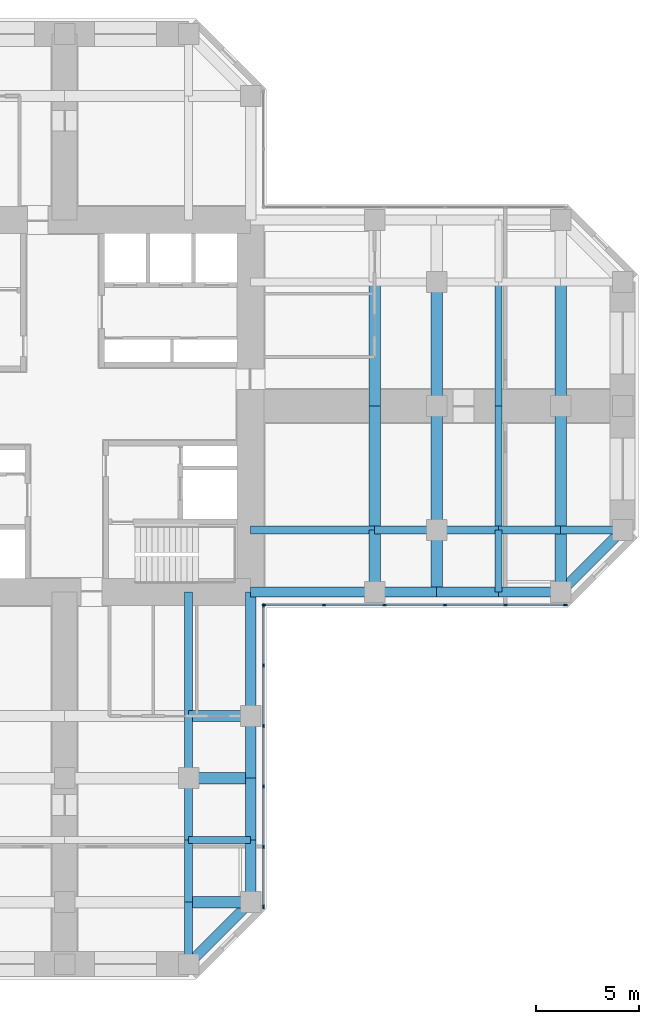
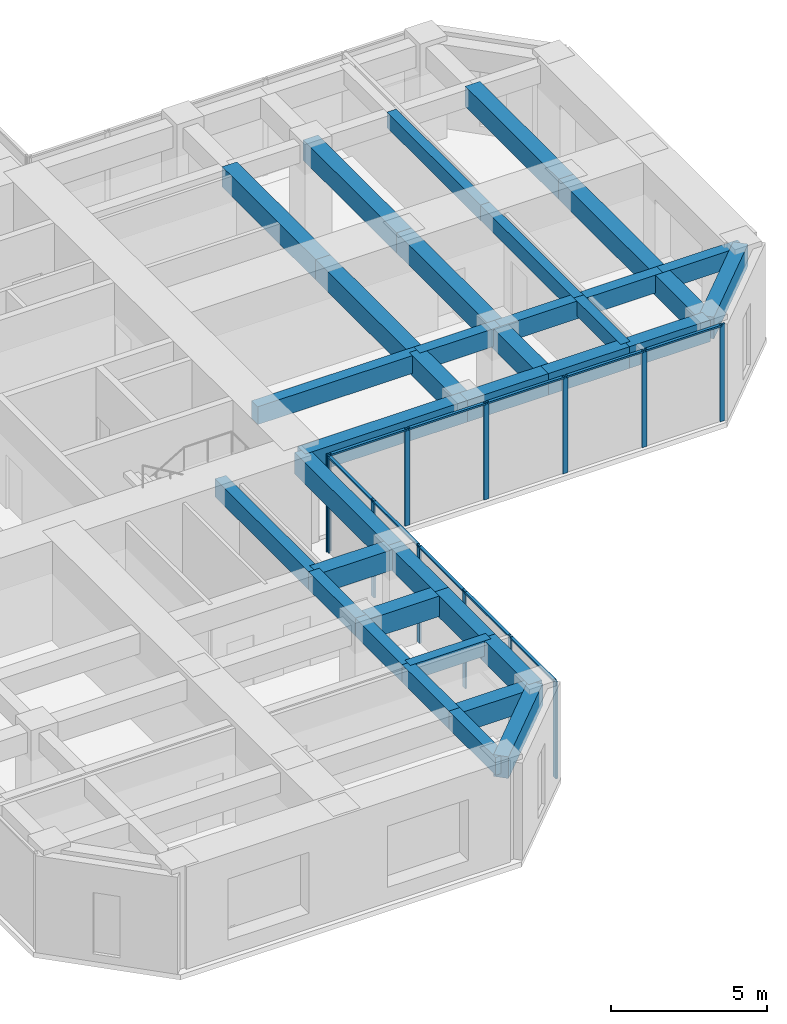
# One storey, part 4 of 12: 36 beams, 22 members, 2 elements without a shape of their own.
"""IFC4 building model written with IfcOpenShell, lengths in metres."""

from ifc_helpers import new_model, si_unit, direction, frame, origin, origin_2d, place, context, subcontext, project, spatial, rectangle, extrude, material, material_profile, profile_set, type_object, element, aggregate, save


model = new_model("IFC4")

# Units and contexts
model_context = context("Model", 3, precision=1e-05, world=origin(), true_north=direction((0.0, 1.0)))
body_context = subcontext(model_context, "Body", "Model", "MODEL_VIEW")
ifc_project = project(units=[si_unit("LENGTHUNIT", "METRE"), si_unit("AREAUNIT", "SQUARE_METRE"), si_unit("VOLUMEUNIT", "CUBIC_METRE"), si_unit("PLANEANGLEUNIT", "RADIAN"), si_unit("MASSUNIT", "GRAM", prefix="KILO")], contexts=[model_context])

# Site, building, storey
site_placement = place(None, origin())
site = spatial("IfcSite", under=ifc_project, at=site_placement, CompositionType="ELEMENT")
building_placement = place(site_placement, origin())
building = spatial("IfcBuilding", under=site, at=building_placement, Name="Torre Cruceta", CompositionType="ELEMENT")
storey_placement = place(building_placement, frame((0.0, 0.0, 144.5)))
storey = spatial("IfcBuildingStorey", under=building, at=storey_placement, Name="L35", CompositionType="ELEMENT", Elevation=144.5)

# Beams
ifc_material_1 = material(Name="Concrete G60 (fck 60 MPa)", Category="concrete")
ifc_material_profile_1 = material_profile(ifc_material_1, rectangle(XDim=0.39990234375, YDim=0.699951171875, at=origin_2d()), Name="RC 400X700")
ifc_profile_set_1 = profile_set([ifc_material_profile_1], Name="Concrete G60 (fck 60 MPa)")
beam_type_1 = type_object("IfcBeamType", Name="COLUMN LINE BEAM RC 400X700", PredefinedType="BEAM", material=ifc_profile_set_1)
beam_1_placement = place(storey_placement, frame((9.0, -6.0, 3.449951171875), z_axis=(1.0, 0.0, 0.0), x_axis=(0.0, 1.0, 0.0)))
element("IfcBeam", 1, at=beam_1_placement, inside=storey, type_object=beam_type_1, Name="LB5 L35 E col- 1", PredefinedType="BEAM", context=body_context, shape_type="SweptSolid", body=[
    extrude(rectangle(XDim=0.39990234375, YDim=0.699951171875, at=origin_2d()), origin(), (0.0, 0.0, 1.0), 6.0),
])
for number, where, z_axis, x_axis, name in (
    (2, (15.0, -6.0, 3.449951171875), (1.0, 0.0, 0.0), (0.0, 1.0, 0.0), "LB5 L35 E col- 2"),
    (3, (18.0, -6.0, 3.449951171875), (1.0, 0.0, 0.0), (0.0, 1.0, 0.0), "LB5 L35 E col- 3"),
    (4, (21.0, -6.0, 3.449951171875), (1.0, 0.0, 0.0), (0.0, 1.0, 0.0), "LB5 L35 E col- 4"),
    (5, (24.0, -6.0, 3.449951171875), (1.0, 0.0, 0.0), (0.0, 1.0, 0.0), "LB5 L35 E col- 5"),
):
    element("IfcBeam", number, at=place(storey_placement, frame(where, z_axis=z_axis, x_axis=x_axis)), inside=storey, type_object=beam_type_1, Name=name, PredefinedType="BEAM", context=body_context, shape_type="SweptSolid", body=[
        extrude(rectangle(XDim=0.39990234375, YDim=0.699951171875, at=origin_2d()), origin(), (0.0, 0.0, 1.0), 3.0),
    ])
beam_2_placement = place(storey_placement, frame((6.0, -9.0, 3.449951171875), z_axis=(0.0, -1.0, 0.0), x_axis=(1.0, 0.0, 0.0)))
element("IfcBeam", 6, at=beam_2_placement, inside=storey, type_object=beam_type_1, Name="LB5 L35 S col+ 1", PredefinedType="BEAM", context=body_context, shape_type="SweptSolid", body=[
    extrude(rectangle(XDim=0.39990234375, YDim=0.699951171875, at=origin_2d()), origin(), (0.0, 0.0, 1.0), 6.0),
])
for number, where, z_axis, x_axis, name in (
    (7, (6.0, -15.0, 3.449951171875), (0.0, -1.0, 0.0), (1.0, 0.0, 0.0), "LB5 L35 S col+ 2"),
    (8, (6.0, -18.0, 3.449951171875), (0.0, -1.0, 0.0), (1.0, 0.0, 0.0), "LB5 L35 S col+ 3"),
    (9, (6.0, -21.0, 3.449951171875), (0.0, -1.0, 0.0), (1.0, 0.0, 0.0), "LB5 L35 S col+ 4"),
    (10, (6.0, -24.0, 3.449951171875), (0.0, -1.0, 0.0), (1.0, 0.0, 0.0), "LB5 L35 S col+ 5"),
):
    element("IfcBeam", number, at=place(storey_placement, frame(where, z_axis=z_axis, x_axis=x_axis)), inside=storey, type_object=beam_type_1, Name=name, PredefinedType="BEAM", context=body_context, shape_type="SweptSolid", body=[
        extrude(rectangle(XDim=0.39990234375, YDim=0.699951171875, at=origin_2d()), origin(), (0.0, 0.0, 1.0), 3.0),
    ])
ifc_material_2 = material(Name="Concrete G60 (fck 60 MPa)", Category="concrete")
ifc_material_profile_2 = material_profile(ifc_material_2, rectangle(XDim=0.550048828125, YDim=0.800048828125, at=origin_2d()), Name="RC 550X800")
ifc_profile_set_2 = profile_set([ifc_material_profile_2], Name="Concrete G60 (fck 60 MPa)")
beam_type_2 = type_object("IfcBeamType", Name="CROSS BEAM RC 550X800", PredefinedType="BEAM", material=ifc_profile_set_2)
beam_3_placement = place(storey_placement, frame((15.0, -9.0, 3.39990234375), z_axis=(0.0, 1.0, 0.0), x_axis=(-1.0, 0.0, 0.0)))
element("IfcBeam", 11, at=beam_3_placement, inside=storey, type_object=beam_type_2, Name="GB5 L35 E cross15 1", PredefinedType="BEAM", context=body_context, shape_type="SweptSolid", body=[
    extrude(rectangle(XDim=0.550048828125, YDim=0.800048828125, at=origin_2d()), origin(), (0.0, 0.0, 1.0), 3.0),
])
for number, where, z_axis, x_axis, name in (
    (12, (15.0, -6.0, 3.39990234375), (0.0, 1.0, 0.0), (-1.0, 0.0, 0.0), "GB5 L35 E cross15 2"),
    (13, (15.0, 0.0, 3.39990234375), (0.0, 1.0, 0.0), (-1.0, 0.0, 0.0), "GB5 L35 E cross15 3"),
):
    element("IfcBeam", number, at=place(storey_placement, frame(where, z_axis=z_axis, x_axis=x_axis)), inside=storey, type_object=beam_type_2, Name=name, PredefinedType="BEAM", context=body_context, shape_type="SweptSolid", body=[
        extrude(rectangle(XDim=0.550048828125, YDim=0.800048828125, at=origin_2d()), origin(), (0.0, 0.0, 1.0), 6.0),
    ])
beam_4_placement = place(storey_placement, frame((18.0, -9.0, 3.39990234375), z_axis=(0.0, 1.0, 0.0), x_axis=(-1.0, 0.0, 0.0)))
element("IfcBeam", 14, at=beam_4_placement, inside=storey, type_object=beam_type_2, Name="GB5 L35 E cross18 1", PredefinedType="BEAM", context=body_context, shape_type="SweptSolid", body=[
    extrude(rectangle(XDim=0.550048828125, YDim=0.800048828125, at=origin_2d()), origin(), (0.0, 0.0, 1.0), 3.0),
])
for number, where, z_axis, x_axis, name in (
    (15, (18.0, -6.0, 3.39990234375), (0.0, 1.0, 0.0), (-1.0, 0.0, 0.0), "GB5 L35 E cross18 2"),
    (16, (18.0, 0.0, 3.39990234375), (0.0, 1.0, 0.0), (-1.0, 0.0, 0.0), "GB5 L35 E cross18 3"),
):
    element("IfcBeam", number, at=place(storey_placement, frame(where, z_axis=z_axis, x_axis=x_axis)), inside=storey, type_object=beam_type_2, Name=name, PredefinedType="BEAM", context=body_context, shape_type="SweptSolid", body=[
        extrude(rectangle(XDim=0.550048828125, YDim=0.800048828125, at=origin_2d()), origin(), (0.0, 0.0, 1.0), 6.0),
    ])
beam_5_placement = place(storey_placement, frame((24.0, -9.0, 3.39990234375), z_axis=(0.0, 1.0, 0.0), x_axis=(-1.0, 0.0, 0.0)))
element("IfcBeam", 17, at=beam_5_placement, inside=storey, type_object=beam_type_2, Name="GB5 L35 E cross24 1", PredefinedType="BEAM", context=body_context, shape_type="SweptSolid", body=[
    extrude(rectangle(XDim=0.550048828125, YDim=0.800048828125, at=origin_2d()), origin(), (0.0, 0.0, 1.0), 3.0),
])
for number, where, z_axis, x_axis, name in (
    (18, (24.0, -6.0, 3.39990234375), (0.0, 1.0, 0.0), (-1.0, 0.0, 0.0), "GB5 L35 E cross24 2"),
    (19, (24.0, 0.0, 3.39990234375), (0.0, 1.0, 0.0), (-1.0, 0.0, 0.0), "GB5 L35 E cross24 3"),
):
    element("IfcBeam", number, at=place(storey_placement, frame(where, z_axis=z_axis, x_axis=x_axis)), inside=storey, type_object=beam_type_2, Name=name, PredefinedType="BEAM", context=body_context, shape_type="SweptSolid", body=[
        extrude(rectangle(XDim=0.550048828125, YDim=0.800048828125, at=origin_2d()), origin(), (0.0, 0.0, 1.0), 6.0),
    ])
for number, where, z_axis, x_axis, name in (
    (20, (6.0, -15.0, 3.39990234375), (1.0, 0.0, 0.0), (0.0, 1.0, 0.0), "GB5 L35 S cross15 4"),
    (21, (6.0, -18.0, 3.39990234375), (1.0, 0.0, 0.0), (0.0, 1.0, 0.0), "GB5 L35 S cross18 4"),
    (22, (6.0, -24.0, 3.39990234375), (1.0, 0.0, 0.0), (0.0, 1.0, 0.0), "GB5 L35 S cross24 4"),
):
    element("IfcBeam", number, at=place(storey_placement, frame(where, z_axis=z_axis, x_axis=x_axis)), inside=storey, type_object=beam_type_2, Name=name, PredefinedType="BEAM", context=body_context, shape_type="SweptSolid", body=[
        extrude(rectangle(XDim=0.550048828125, YDim=0.800048828125, at=origin_2d()), origin(), (0.0, 0.0, 1.0), 3.0),
    ])

# Curtain wall, members
ifc_material_3 = material(Name="Aluminium unitised curtain wall", Category="aluminium")
curtain_wall_type = type_object("IfcCurtainWallType", Name="CURTAIN WALL CW-B OFFICE MID RISE", PredefinedType="USERDEFINED", material=ifc_material_3)
curtain_wall_1_placement = place(storey_placement, origin())
curtain_wall_1 = element("IfcCurtainWall", 23, at=curtain_wall_1_placement, inside=storey, type_object=curtain_wall_type, Name="CW-B L35 E side 00", ObjectType="UNITISED", PredefinedType="USERDEFINED")
ifc_material_4 = material(Name="Aluminium mullion", Category="aluminium")
ifc_material_profile_3 = material_profile(ifc_material_4, rectangle(XDim=0.06494140625, YDim=0.179931640625, at=origin_2d()), Name="AL 65X180")
ifc_profile_set_3 = profile_set([ifc_material_profile_3], Name="Aluminium mullion")
member_type_1 = type_object("IfcMemberType", Name="CW-B MULLION 65X180", PredefinedType="MULLION", material=ifc_profile_set_3)
member_1_placement = place(storey_placement, frame((9.652587890625, -9.6201171875, 0.0), z_axis=(0.0, 0.0, 1.0), x_axis=(0.0, 1.0, 0.0)))
member_1 = element("IfcMember", 24, at=member_1_placement, type_object=member_type_1, Name="CW-B mullion 1", PredefinedType="MULLION", context=body_context, shape_type="SweptSolid", body=[
    extrude(rectangle(XDim=0.06494140625, YDim=0.179931640625, at=origin_2d()), origin(), (0.0, 0.0, 1.0), 3.800048828125),
])
member_2_placement = place(storey_placement, frame((12.54736328125, -9.6201171875, 0.0), z_axis=(0.0, 0.0, 1.0), x_axis=(0.0, 1.0, 0.0)))
member_2 = element("IfcMember", 25, at=member_2_placement, type_object=member_type_1, Name="CW-B mullion 2", PredefinedType="MULLION", context=body_context, shape_type="SweptSolid", body=[
    extrude(rectangle(XDim=0.06494140625, YDim=0.179931640625, at=origin_2d()), origin(), (0.0, 0.0, 1.0), 3.800048828125),
])
member_3_placement = place(storey_placement, frame((15.474609375, -9.6201171875, 0.0), z_axis=(0.0, 0.0, 1.0), x_axis=(0.0, 1.0, 0.0)))
member_3 = element("IfcMember", 26, at=member_3_placement, type_object=member_type_1, Name="CW-B mullion 3", PredefinedType="MULLION", context=body_context, shape_type="SweptSolid", body=[
    extrude(rectangle(XDim=0.06494140625, YDim=0.179931640625, at=origin_2d()), origin(), (0.0, 0.0, 1.0), 3.800048828125),
])
member_4_placement = place(storey_placement, frame((18.402099609375, -9.6201171875, 0.0), z_axis=(0.0, 0.0, 1.0), x_axis=(0.0, 1.0, 0.0)))
member_4 = element("IfcMember", 27, at=member_4_placement, type_object=member_type_1, Name="CW-B mullion 4", PredefinedType="MULLION", context=body_context, shape_type="SweptSolid", body=[
    extrude(rectangle(XDim=0.06494140625, YDim=0.179931640625, at=origin_2d()), origin(), (0.0, 0.0, 1.0), 3.800048828125),
])
member_5_placement = place(storey_placement, frame((21.329345703125, -9.6201171875, 0.0), z_axis=(0.0, 0.0, 1.0), x_axis=(0.0, 1.0, 0.0)))
member_5 = element("IfcMember", 28, at=member_5_placement, type_object=member_type_1, Name="CW-B mullion 5", PredefinedType="MULLION", context=body_context, shape_type="SweptSolid", body=[
    extrude(rectangle(XDim=0.06494140625, YDim=0.179931640625, at=origin_2d()), origin(), (0.0, 0.0, 1.0), 3.800048828125),
])
member_6_placement = place(storey_placement, frame((24.224365234375, -9.6201171875, 0.0), z_axis=(0.0, 0.0, 1.0), x_axis=(0.0, 1.0, 0.0)))
member_6 = element("IfcMember", 29, at=member_6_placement, type_object=member_type_1, Name="CW-B mullion 6", PredefinedType="MULLION", context=body_context, shape_type="SweptSolid", body=[
    extrude(rectangle(XDim=0.06494140625, YDim=0.179931640625, at=origin_2d()), origin(), (0.0, 0.0, 1.0), 3.800048828125),
])

curtain_wall_2_placement = place(storey_placement, origin())
curtain_wall_2 = element("IfcCurtainWall", 30, at=curtain_wall_2_placement, inside=storey, type_object=curtain_wall_type, Name="CW-B L35 S side 19", ObjectType="UNITISED", PredefinedType="USERDEFINED")
member_7_placement = place(storey_placement, frame((9.6201171875, -24.224365234375, 0.0), z_axis=(0.0, 0.0, 1.0), x_axis=(-1.0, 0.0, 0.0)))
member_7 = element("IfcMember", 31, at=member_7_placement, type_object=member_type_1, Name="CW-B mullion 1", PredefinedType="MULLION", context=body_context, shape_type="SweptSolid", body=[
    extrude(rectangle(XDim=0.06494140625, YDim=0.179931640625, at=origin_2d()), origin(), (0.0, 0.0, 1.0), 3.800048828125),
])
member_8_placement = place(storey_placement, frame((9.6201171875, -21.329345703125, 0.0), z_axis=(0.0, 0.0, 1.0), x_axis=(-1.0, 0.0, 0.0)))
member_8 = element("IfcMember", 32, at=member_8_placement, type_object=member_type_1, Name="CW-B mullion 2", PredefinedType="MULLION", context=body_context, shape_type="SweptSolid", body=[
    extrude(rectangle(XDim=0.06494140625, YDim=0.179931640625, at=origin_2d()), origin(), (0.0, 0.0, 1.0), 3.800048828125),
])
member_9_placement = place(storey_placement, frame((9.6201171875, -18.402099609375, 0.0), z_axis=(0.0, 0.0, 1.0), x_axis=(-1.0, 0.0, 0.0)))
member_9 = element("IfcMember", 33, at=member_9_placement, type_object=member_type_1, Name="CW-B mullion 3", PredefinedType="MULLION", context=body_context, shape_type="SweptSolid", body=[
    extrude(rectangle(XDim=0.06494140625, YDim=0.179931640625, at=origin_2d()), origin(), (0.0, 0.0, 1.0), 3.800048828125),
])
member_10_placement = place(storey_placement, frame((9.6201171875, -15.474609375, 0.0), z_axis=(0.0, 0.0, 1.0), x_axis=(-1.0, 0.0, 0.0)))
member_10 = element("IfcMember", 34, at=member_10_placement, type_object=member_type_1, Name="CW-B mullion 4", PredefinedType="MULLION", context=body_context, shape_type="SweptSolid", body=[
    extrude(rectangle(XDim=0.06494140625, YDim=0.179931640625, at=origin_2d()), origin(), (0.0, 0.0, 1.0), 3.800048828125),
])
member_11_placement = place(storey_placement, frame((9.6201171875, -12.54736328125, 0.0), z_axis=(0.0, 0.0, 1.0), x_axis=(-1.0, 0.0, 0.0)))
member_11 = element("IfcMember", 35, at=member_11_placement, type_object=member_type_1, Name="CW-B mullion 5", PredefinedType="MULLION", context=body_context, shape_type="SweptSolid", body=[
    extrude(rectangle(XDim=0.06494140625, YDim=0.179931640625, at=origin_2d()), origin(), (0.0, 0.0, 1.0), 3.800048828125),
])
member_12_placement = place(storey_placement, frame((9.6201171875, -9.652587890625, 0.0), z_axis=(0.0, 0.0, 1.0), x_axis=(-1.0, 0.0, 0.0)))
member_12 = element("IfcMember", 36, at=member_12_placement, type_object=member_type_1, Name="CW-B mullion 6", PredefinedType="MULLION", context=body_context, shape_type="SweptSolid", body=[
    extrude(rectangle(XDim=0.06494140625, YDim=0.179931640625, at=origin_2d()), origin(), (0.0, 0.0, 1.0), 3.800048828125),
])

# Member
ifc_material_5 = material(Name="Aluminium transom", Category="aluminium")
ifc_material_profile_4 = material_profile(ifc_material_5, rectangle(XDim=0.110107421875, YDim=0.06494140625, at=origin_2d()), Name="AL 110X65")
ifc_profile_set_4 = profile_set([ifc_material_profile_4], Name="Aluminium transom")
member_type_2 = type_object("IfcMemberType", Name="CW-B TRANSOM 65X110", PredefinedType="USERDEFINED", material=ifc_profile_set_4)
member_13_placement = place(storey_placement, frame((9.68505859375, -9.6201171875, 3.767578125), z_axis=(1.0, 0.0, 0.0), x_axis=(0.0, 1.0, 0.0)))
member_13 = element("IfcMember", 37, at=member_13_placement, type_object=member_type_2, Name="CW-B transom 1", ObjectType="TRANSOM", PredefinedType="USERDEFINED", context=body_context, shape_type="SweptSolid", body=[
    extrude(rectangle(XDim=0.110107421875, YDim=0.06494140625, at=origin_2d()), origin(), (0.0, 0.0, 1.0), 2.829833984375),
])

member_14_placement = place(storey_placement, frame((12.579833984375, -9.6201171875, 3.767578125), z_axis=(1.0, 0.0, 0.0), x_axis=(0.0, 1.0, 0.0)))
member_14 = element("IfcMember", 38, at=member_14_placement, type_object=member_type_2, Name="CW-B transom 2", ObjectType="TRANSOM", PredefinedType="USERDEFINED", context=body_context, shape_type="SweptSolid", body=[
    extrude(rectangle(XDim=0.110107421875, YDim=0.06494140625, at=origin_2d()), origin(), (0.0, 0.0, 1.0), 2.8623046875),
])

member_15_placement = place(storey_placement, frame((15.50732421875, -9.6201171875, 3.767578125), z_axis=(1.0, 0.0, 0.0), x_axis=(0.0, 1.0, 0.0)))
member_15 = element("IfcMember", 39, at=member_15_placement, type_object=member_type_2, Name="CW-B transom 3", ObjectType="TRANSOM", PredefinedType="USERDEFINED", context=body_context, shape_type="SweptSolid", body=[
    extrude(rectangle(XDim=0.110107421875, YDim=0.06494140625, at=origin_2d()), origin(), (0.0, 0.0, 1.0), 2.8623046875),
])

member_16_placement = place(storey_placement, frame((18.4345703125, -9.6201171875, 3.767578125), z_axis=(1.0, 0.0, 0.0), x_axis=(0.0, 1.0, 0.0)))
member_16 = element("IfcMember", 40, at=member_16_placement, type_object=member_type_2, Name="CW-B transom 4", ObjectType="TRANSOM", PredefinedType="USERDEFINED", context=body_context, shape_type="SweptSolid", body=[
    extrude(rectangle(XDim=0.110107421875, YDim=0.06494140625, at=origin_2d()), origin(), (0.0, 0.0, 1.0), 2.8623046875),
])

member_17_placement = place(storey_placement, frame((21.362060546875, -9.6201171875, 3.767578125), z_axis=(1.0, 0.0, 0.0), x_axis=(0.0, 1.0, 0.0)))
member_17 = element("IfcMember", 41, at=member_17_placement, type_object=member_type_2, Name="CW-B transom 5", ObjectType="TRANSOM", PredefinedType="USERDEFINED", context=body_context, shape_type="SweptSolid", body=[
    extrude(rectangle(XDim=0.110107421875, YDim=0.06494140625, at=origin_2d()), origin(), (0.0, 0.0, 1.0), 2.829833984375),
])

aggregate(curtain_wall_1, [member_1, member_2, member_3, member_4, member_5, member_6, member_13, member_14, member_15, member_16, member_17])

member_18_placement = place(storey_placement, frame((9.6201171875, -24.19189453125, 3.767578125), z_axis=(0.0, 1.0, 0.0), x_axis=(-1.0, 0.0, 0.0)))
member_18 = element("IfcMember", 42, at=member_18_placement, type_object=member_type_2, Name="CW-B transom 1", ObjectType="TRANSOM", PredefinedType="USERDEFINED", context=body_context, shape_type="SweptSolid", body=[
    extrude(rectangle(XDim=0.110107421875, YDim=0.06494140625, at=origin_2d()), origin(), (0.0, 0.0, 1.0), 2.829833984375),
])

member_19_placement = place(storey_placement, frame((9.6201171875, -21.296875, 3.767578125), z_axis=(0.0, 1.0, 0.0), x_axis=(-1.0, 0.0, 0.0)))
member_19 = element("IfcMember", 43, at=member_19_placement, type_object=member_type_2, Name="CW-B transom 2", ObjectType="TRANSOM", PredefinedType="USERDEFINED", context=body_context, shape_type="SweptSolid", body=[
    extrude(rectangle(XDim=0.110107421875, YDim=0.06494140625, at=origin_2d()), origin(), (0.0, 0.0, 1.0), 2.8623046875),
])

member_20_placement = place(storey_placement, frame((9.6201171875, -18.36962890625, 3.767578125), z_axis=(0.0, 1.0, 0.0), x_axis=(-1.0, 0.0, 0.0)))
member_20 = element("IfcMember", 44, at=member_20_placement, type_object=member_type_2, Name="CW-B transom 3", ObjectType="TRANSOM", PredefinedType="USERDEFINED", context=body_context, shape_type="SweptSolid", body=[
    extrude(rectangle(XDim=0.110107421875, YDim=0.06494140625, at=origin_2d()), origin(), (0.0, 0.0, 1.0), 2.8623046875),
])

member_21_placement = place(storey_placement, frame((9.6201171875, -15.442138671875, 3.767578125), z_axis=(0.0, 1.0, 0.0), x_axis=(-1.0, 0.0, 0.0)))
member_21 = element("IfcMember", 45, at=member_21_placement, type_object=member_type_2, Name="CW-B transom 4", ObjectType="TRANSOM", PredefinedType="USERDEFINED", context=body_context, shape_type="SweptSolid", body=[
    extrude(rectangle(XDim=0.110107421875, YDim=0.06494140625, at=origin_2d()), origin(), (0.0, 0.0, 1.0), 2.8623046875),
])

member_22_placement = place(storey_placement, frame((9.6201171875, -12.514892578125, 3.767578125), z_axis=(0.0, 1.0, 0.0), x_axis=(-1.0, 0.0, 0.0)))
member_22 = element("IfcMember", 46, at=member_22_placement, type_object=member_type_2, Name="CW-B transom 5", ObjectType="TRANSOM", PredefinedType="USERDEFINED", context=body_context, shape_type="SweptSolid", body=[
    extrude(rectangle(XDim=0.110107421875, YDim=0.06494140625, at=origin_2d()), origin(), (0.0, 0.0, 1.0), 2.829833984375),
])

aggregate(curtain_wall_2, [member_7, member_8, member_9, member_10, member_11, member_12, member_18, member_19, member_20, member_21, member_22])

# Beams
ifc_material_6 = material(Name="Concrete G60 (fck 60 MPa)", Category="concrete")
ifc_material_profile_5 = material_profile(ifc_material_6, rectangle(XDim=0.35009765625, YDim=0.60009765625, at=origin_2d()), Name="RC 350X600")
ifc_profile_set_5 = profile_set([ifc_material_profile_5], Name="Concrete G60 (fck 60 MPa)")
beam_type_3 = type_object("IfcBeamType", Name="SECONDARY BEAM RC 350X600", PredefinedType="JOIST", material=ifc_profile_set_5)
beam_6_placement = place(storey_placement, frame((21.0, -9.0, 3.5), z_axis=(0.0, 1.0, 0.0), x_axis=(-1.0, 0.0, 0.0)))
element("IfcBeam", 47, at=beam_6_placement, inside=storey, type_object=beam_type_3, Name="JB5 L35 E sec21 1", PredefinedType="JOIST", context=body_context, shape_type="SweptSolid", body=[
    extrude(rectangle(XDim=0.35009765625, YDim=0.60009765625, at=origin_2d()), origin(), (0.0, 0.0, 1.0), 3.0),
])
for number, where, z_axis, x_axis, name in (
    (48, (21.0, -6.0, 3.5), (0.0, 1.0, 0.0), (-1.0, 0.0, 0.0), "JB5 L35 E sec21 2"),
    (49, (21.0, 0.0, 3.5), (0.0, 1.0, 0.0), (-1.0, 0.0, 0.0), "JB5 L35 E sec21 3"),
):
    element("IfcBeam", number, at=place(storey_placement, frame(where, z_axis=z_axis, x_axis=x_axis)), inside=storey, type_object=beam_type_3, Name=name, PredefinedType="JOIST", context=body_context, shape_type="SweptSolid", body=[
        extrude(rectangle(XDim=0.35009765625, YDim=0.60009765625, at=origin_2d()), origin(), (0.0, 0.0, 1.0), 6.0),
    ])
beam_7_placement = place(storey_placement, frame((6.0, -21.0, 3.5), z_axis=(1.0, 0.0, 0.0), x_axis=(0.0, 1.0, 0.0)))
element("IfcBeam", 50, at=beam_7_placement, inside=storey, type_object=beam_type_3, Name="JB5 L35 S sec21 4", PredefinedType="JOIST", context=body_context, shape_type="SweptSolid", body=[
    extrude(rectangle(XDim=0.35009765625, YDim=0.60009765625, at=origin_2d()), origin(), (0.0, 0.0, 1.0), 3.0),
])
ifc_material_7 = material(Name="Concrete G60 (fck 60 MPa)", Category="concrete")
ifc_material_profile_6 = material_profile(ifc_material_7, rectangle(XDim=0.5, YDim=0.85009765625, at=origin_2d()), Name="RC 500X850")
ifc_profile_set_6 = profile_set([ifc_material_profile_6], Name="Concrete G60 (fck 60 MPa)")
beam_type_4 = type_object("IfcBeamType", Name="SPANDREL BEAM RC 500X850", PredefinedType="SPANDREL", material=ifc_profile_set_6)
beam_8_placement = place(storey_placement, frame((9.0, -9.0, 3.375), z_axis=(1.0, 0.0, 0.0), x_axis=(0.0, 1.0, 0.0)))
element("IfcBeam", 51, at=beam_8_placement, inside=storey, type_object=beam_type_4, Name="SB5 L35 E side- 1", PredefinedType="SPANDREL", context=body_context, shape_type="SweptSolid", body=[
    extrude(rectangle(XDim=0.5, YDim=0.85009765625, at=origin_2d()), origin(), (0.0, 0.0, 1.0), 6.0),
])
for number, where, z_axis, x_axis, name in (
    (52, (15.0, -9.0, 3.375), (1.0, 0.0, 0.0), (0.0, 1.0, 0.0), "SB5 L35 E side- 2"),
    (53, (18.0, -9.0, 3.375), (1.0, 0.0, 0.0), (0.0, 1.0, 0.0), "SB5 L35 E side- 3"),
    (54, (21.0, -9.0, 3.375), (1.0, 0.0, 0.0), (0.0, 1.0, 0.0), "SB5 L35 E side- 4"),
):
    element("IfcBeam", number, at=place(storey_placement, frame(where, z_axis=z_axis, x_axis=x_axis)), inside=storey, type_object=beam_type_4, Name=name, PredefinedType="SPANDREL", context=body_context, shape_type="SweptSolid", body=[
        extrude(rectangle(XDim=0.5, YDim=0.85009765625, at=origin_2d()), origin(), (0.0, 0.0, 1.0), 3.0),
    ])
beam_9_placement = place(storey_placement, frame((24.0, -9.0, 3.375), z_axis=(0.707106781187, 0.707106781187, 0.0), x_axis=(-0.707106781187, 0.707106781187, 0.0)))
element("IfcBeam", 55, at=beam_9_placement, inside=storey, type_object=beam_type_4, Name="SB5 L35 E side- 5", PredefinedType="SPANDREL", context=body_context, shape_type="SweptSolid", body=[
    extrude(rectangle(XDim=0.5, YDim=0.85009765625, at=origin_2d()), origin(), (0.0, 0.0, 1.0), 4.24267578125),
])
beam_10_placement = place(storey_placement, frame((9.0, -9.0, 3.375), z_axis=(0.0, -1.0, 0.0), x_axis=(1.0, 0.0, 0.0)))
element("IfcBeam", 56, at=beam_10_placement, inside=storey, type_object=beam_type_4, Name="SB5 L35 S side+ 1", PredefinedType="SPANDREL", context=body_context, shape_type="SweptSolid", body=[
    extrude(rectangle(XDim=0.5, YDim=0.85009765625, at=origin_2d()), origin(), (0.0, 0.0, 1.0), 6.0),
])
for number, where, z_axis, x_axis, name in (
    (57, (9.0, -15.0, 3.375), (0.0, -1.0, 0.0), (1.0, 0.0, 0.0), "SB5 L35 S side+ 2"),
    (58, (9.0, -18.0, 3.375), (0.0, -1.0, 0.0), (1.0, 0.0, 0.0), "SB5 L35 S side+ 3"),
    (59, (9.0, -21.0, 3.375), (0.0, -1.0, 0.0), (1.0, 0.0, 0.0), "SB5 L35 S side+ 4"),
):
    element("IfcBeam", number, at=place(storey_placement, frame(where, z_axis=z_axis, x_axis=x_axis)), inside=storey, type_object=beam_type_4, Name=name, PredefinedType="SPANDREL", context=body_context, shape_type="SweptSolid", body=[
        extrude(rectangle(XDim=0.5, YDim=0.85009765625, at=origin_2d()), origin(), (0.0, 0.0, 1.0), 3.0),
    ])
beam_11_placement = place(storey_placement, frame((9.0, -24.0, 3.375), z_axis=(-0.707106781187, -0.707106781187, 0.0), x_axis=(0.707106781187, -0.707106781187, 0.0)))
element("IfcBeam", 60, at=beam_11_placement, inside=storey, type_object=beam_type_4, Name="SB5 L35 S side+ 5", PredefinedType="SPANDREL", context=body_context, shape_type="SweptSolid", body=[
    extrude(rectangle(XDim=0.5, YDim=0.85009765625, at=origin_2d()), origin(), (0.0, 0.0, 1.0), 4.24267578125),
])

save(model, "model.ifc")
